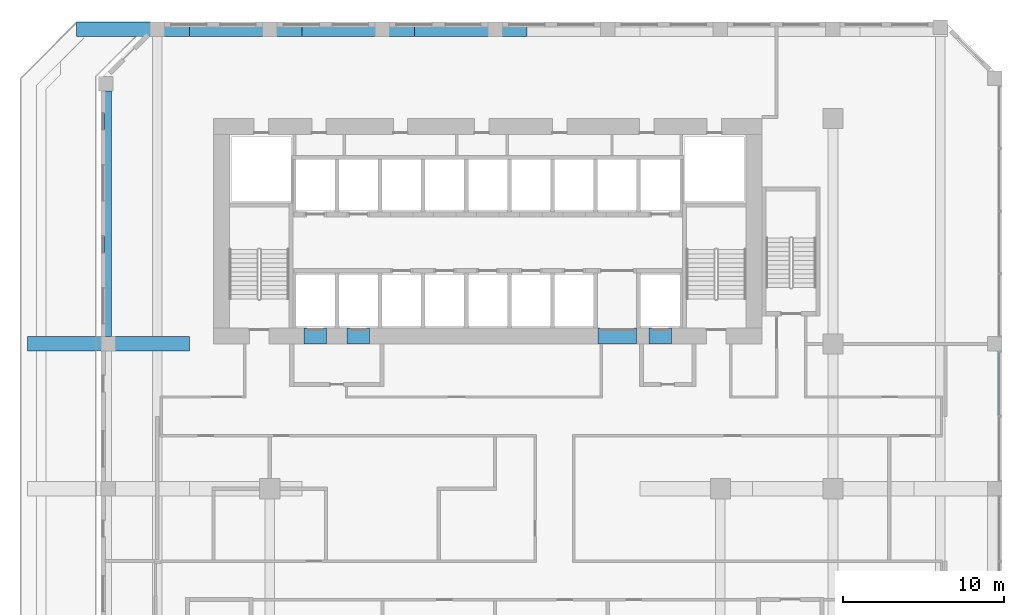
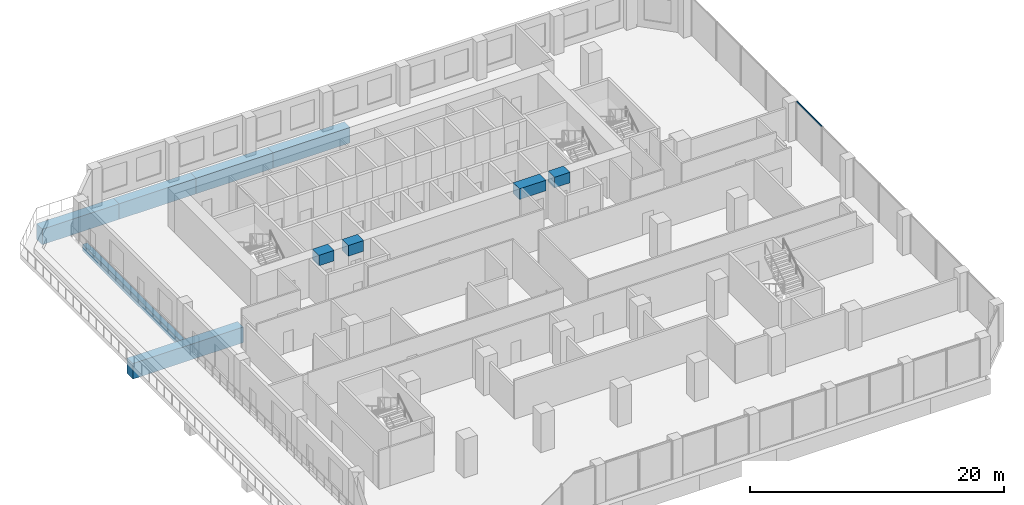
# One storey, part 9 of 20: 10 beams, 1 member, 1 element without a shape of its own.
"""IFC4 building model written with IfcOpenShell, lengths in metres."""

from ifc_helpers import new_model, si_unit, direction, frame, origin, origin_2d, place, context, subcontext, project, spatial, rectangle, extrude, source, transform, mapped, material, material_profile, profile_set, type_object, element, aggregate, save


model = new_model("IFC4")

# Units and contexts
model_context = context("Model", 3, precision=1e-05, world=origin(), true_north=direction((0.0, 1.0)))
body_context = subcontext(model_context, "Body", "Model", "MODEL_VIEW")
ifc_project = project(units=[si_unit("LENGTHUNIT", "METRE"), si_unit("AREAUNIT", "SQUARE_METRE"), si_unit("VOLUMEUNIT", "CUBIC_METRE"), si_unit("PLANEANGLEUNIT", "RADIAN"), si_unit("MASSUNIT", "GRAM", prefix="KILO")], contexts=[model_context])

# Site, building, storey
site_placement = place(None, origin())
site = spatial("IfcSite", under=ifc_project, at=site_placement, CompositionType="ELEMENT")
building_placement = place(site_placement, origin())
building = spatial("IfcBuilding", under=site, at=building_placement, Name="Kilnfold Tower and Market Hall", CompositionType="ELEMENT")
storey_placement = place(building_placement, frame((0.0, 0.0, 63.199951171875)))
storey = spatial("IfcBuildingStorey", under=building, at=storey_placement, Name="L14", CompositionType="ELEMENT", Elevation=63.199951171875)

# Beams
ifc_material_1 = material(Name="Concrete C45", Category="concrete")
ifc_material_profile_1 = material_profile(ifc_material_1, rectangle(XDim=0.449951171875, YDim=0.64990234375, at=origin_2d()), Name="RC 450x650")
ifc_profile_set_1 = profile_set([ifc_material_profile_1], Name="Concrete C45")
beam_type_1 = type_object("IfcBeamType", Name="EDGE BEAM 450X650 C45", PredefinedType="BEAM", material=ifc_profile_set_1)
shared_shape_1 = source(origin(), body_context, "Body", "SweptSolid", [
    extrude(rectangle(XDim=0.449951171875, YDim=0.64990234375, at=origin_2d()), origin(), (0.0, 0.0, 1.0), 15.28173828125),
])
beam_1_placement = place(storey_placement, frame((-22.550048828125, 8.449951171875, -0.724853515625), z_axis=(0.0, 1.0, 0.0), x_axis=(-1.0, 0.0, 0.0)))
element("IfcBeam", 1, at=beam_1_placement, inside=storey, type_object=beam_type_1, Name="Beam EB650-B2.41", PredefinedType="BEAM", context=body_context, shape_type="MappedRepresentation", body=[
    mapped(shared_shape_1, transform((0.0, 0.0, 0.0))),
])
ifc_material_2 = material(Name="Concrete C80", Category="concrete")
ifc_material_profile_2 = material_profile(ifc_material_2, rectangle(XDim=1.0, YDim=1.02001953125, at=origin_2d()), Name="RC 1000x1020")
ifc_profile_set_2 = profile_set([ifc_material_profile_2], Name="Concrete C80")
beam_type_2 = type_object("IfcBeamType", Name="COUPLING BEAM 1000X1020 C80", PredefinedType="BEAM", material=ifc_profile_set_2)
shared_shape_2 = source(origin(), body_context, "Body", "SweptSolid", [
    extrude(rectangle(XDim=1.0, YDim=1.02001953125, at=origin_2d()), origin(), (0.0, 0.0, 1.0), 1.400146484375),
])
beam_2_placement = place(storey_placement, frame((-10.3701171875, 8.5, 3.2099609375), z_axis=(1.0, 0.0, 0.0), x_axis=(0.0, 1.0, 0.0)))
element("IfcBeam", 2, at=beam_2_placement, inside=storey, type_object=beam_type_2, Name="Coupling beam CB1020-80-CORE.42", PredefinedType="BEAM", context=body_context, shape_type="MappedRepresentation", body=[
    mapped(shared_shape_2, transform((0.0, 0.0, 0.0))),
])
shared_shape_3 = source(origin(), body_context, "Body", "SweptSolid", [
    extrude(rectangle(XDim=1.0, YDim=1.02001953125, at=origin_2d()), origin(), (0.0, 0.0, 1.0), 1.39990234375),
])
for number, where, z_axis, x_axis, name in (
    (3, (-7.68994140625, 8.5, 3.2099609375), (1.0, 0.0, 0.0), (0.0, 1.0, 0.0), "Coupling beam CB1020-80-CORE.43"),
    (4, (11.070068359375, 8.5, 3.2099609375), (1.0, 0.0, 0.0), (0.0, 1.0, 0.0), "Coupling beam CB1020-80-CORE.45"),
):
    element("IfcBeam", number, at=place(storey_placement, frame(where, z_axis=z_axis, x_axis=x_axis)), inside=storey, type_object=beam_type_2, Name=name, PredefinedType="BEAM", context=body_context, shape_type="MappedRepresentation", body=[
        mapped(shared_shape_3, transform((0.0, 0.0, 0.0))),
    ])
shared_shape_4 = source(origin(), body_context, "Body", "SweptSolid", [
    extrude(rectangle(XDim=1.0, YDim=1.02001953125, at=origin_2d()), origin(), (0.0, 0.0, 1.0), 2.400146484375),
])
beam_3_placement = place(storey_placement, frame((7.889892578125, 8.5, 3.2099609375), z_axis=(1.0, 0.0, 0.0), x_axis=(0.0, 1.0, 0.0)))
element("IfcBeam", 5, at=beam_3_placement, inside=storey, type_object=beam_type_2, Name="Coupling beam CB1020-80-CORE.44", PredefinedType="BEAM", context=body_context, shape_type="MappedRepresentation", body=[
    mapped(shared_shape_4, transform((0.0, 0.0, 0.0))),
])
ifc_material_3 = material(Name="Concrete C60", Category="concrete")
ifc_material_profile_3 = material_profile(ifc_material_3, rectangle(XDim=0.89990234375, YDim=1.5, at=origin_2d()), Name="RC 900x1500")
ifc_profile_set_3 = profile_set([ifc_material_profile_3], Name="Concrete C60")
beam_type_3 = type_object("IfcBeamType", Name="TRANSFER GIRDER 900X1500 C60", PredefinedType="BEAM", material=ifc_profile_set_3)
shared_shape_5 = source(origin(), body_context, "Body", "SweptSolid", [
    extrude(rectangle(XDim=0.89990234375, YDim=1.5, at=origin_2d()), origin(), (0.0, 0.0, 1.0), 10.050048828125),
])
beam_4_placement = place(storey_placement, frame((-27.550048828125, 8.0, -1.14990234375), z_axis=(1.0, 0.0, 0.0), x_axis=(0.0, 1.0, 0.0)))
element("IfcBeam", 6, at=beam_4_placement, inside=storey, type_object=beam_type_3, Name="Beam TG1500-B2.4", PredefinedType="BEAM", context=body_context, shape_type="MappedRepresentation", body=[
    mapped(shared_shape_5, transform((0.0, 0.0, 0.0))),
])
shared_shape_6 = source(origin(), body_context, "Body", "SweptSolid", [
    extrude(rectangle(XDim=0.89990234375, YDim=1.5, at=origin_2d()), origin(), (0.0, 0.0, 1.0), 7.0),
])
for number, where, z_axis, x_axis, name in (
    (7, (-24.5, 27.550048828125, -1.14990234375), (1.0, 0.0, 0.0), (0.0, 1.0, 0.0), "Beam TG1500-B2.6"),
    (8, (-17.5, 27.550048828125, -1.14990234375), (1.0, 0.0, 0.0), (0.0, 1.0, 0.0), "Beam TG1500-B2.10"),
    (9, (-10.5, 27.550048828125, -1.14990234375), (1.0, 0.0, 0.0), (0.0, 1.0, 0.0), "Beam TG1500-B2.15"),
    (10, (-3.5, 27.550048828125, -1.14990234375), (1.0, 0.0, 0.0), (0.0, 1.0, 0.0), "Beam TG1500-B2.19"),
):
    element("IfcBeam", number, at=place(storey_placement, frame(where, z_axis=z_axis, x_axis=x_axis)), inside=storey, type_object=beam_type_3, Name=name, PredefinedType="BEAM", context=body_context, shape_type="MappedRepresentation", body=[
        mapped(shared_shape_6, transform((0.0, 0.0, 0.0))),
    ])

# Curtain wall, member
ifc_material_4 = material(Name="Aluminium and double glazing", Category="aluminium")
curtain_wall_type = type_object("IfcCurtainWallType", Name="CW OF1 VALLEY GLAZING", PredefinedType="NOTDEFINED", material=ifc_material_4)
curtain_wall_placement = place(storey_placement, origin())
curtain_wall = element("IfcCurtainWall", 11, at=curtain_wall_placement, inside=storey, type_object=curtain_wall_type, Name="Curtain wall CW1 L14 E", PredefinedType="NOTDEFINED")
ifc_material_5 = material(Name="Aluminium", Category="aluminium")
ifc_material_profile_4 = material_profile(ifc_material_5, rectangle(XDim=0.06005859375, YDim=0.139892578125, at=origin_2d()), Name="TRANSOM 60x140")
ifc_profile_set_4 = profile_set([ifc_material_profile_4], Name="Aluminium")
member_type = type_object("IfcMemberType", Name="TRANSOM 60X140", PredefinedType="USERDEFINED", material=ifc_profile_set_4)
shared_shape_7 = source(origin(), body_context, "Body", "SweptSolid", [
    extrude(rectangle(XDim=0.06005859375, YDim=0.139892578125, at=origin_2d()), origin(), (0.0, 0.0, 1.0), 3.929931640625),
])
member_placement = place(storey_placement, frame((32.85009765625, 3.56005859375, 3.68994140625), z_axis=(0.0, 1.0, 0.0), x_axis=(-1.0, 0.0, 0.0)))
member = element("IfcMember", 12, at=member_placement, type_object=member_type, Name="CW1 transom 1.2", ObjectType="TRANSOM", PredefinedType="USERDEFINED", context=body_context, shape_type="MappedRepresentation", body=[
    mapped(shared_shape_7, transform((0.0, 0.0, 0.0))),
])
aggregate(curtain_wall, [member])

save(model, "model.ifc")
